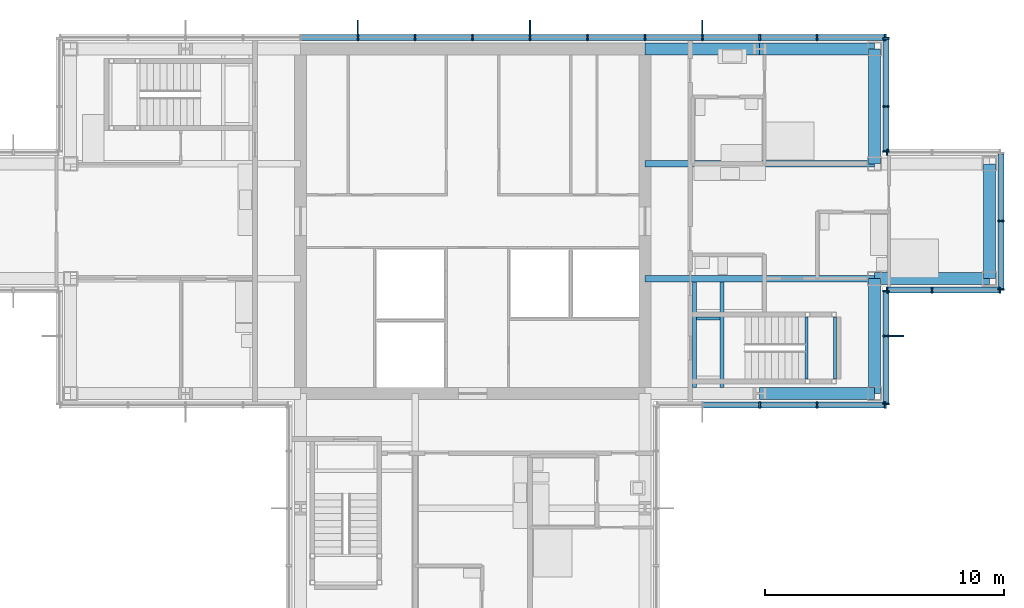
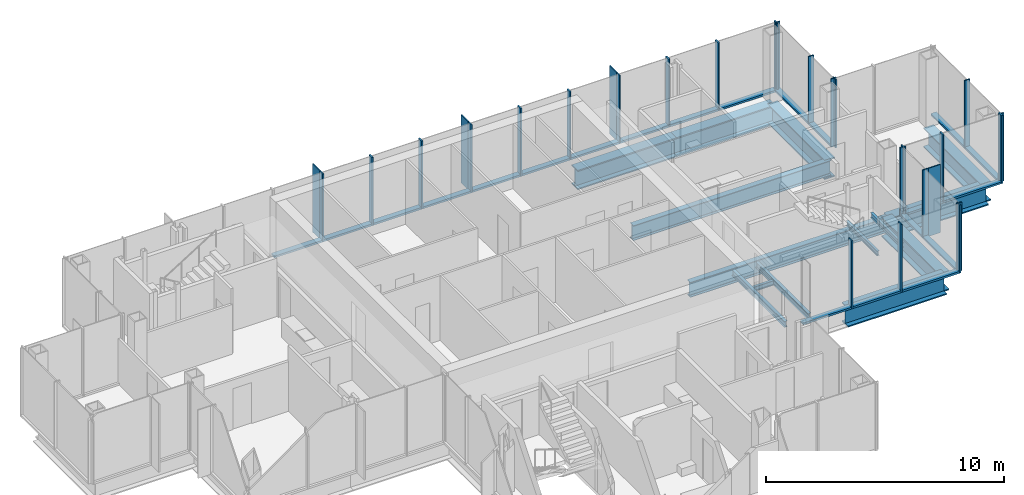
# One storey, part 7 of 15: 50 members, 14 beams, 7 elements without a shape of their own.
"""IFC4 building model written with IfcOpenShell, lengths in metres."""

from ifc_helpers import new_model, si_unit, direction, frame, origin, origin_2d, place, context, subcontext, project, spatial, rectangle, i_section, extrude, material, material_profile, profile_set, type_object, element, aggregate, save


model = new_model("IFC4")

# Units and contexts
model_context = context("Model", 3, precision=1e-05, world=origin(), true_north=direction((0.0, 1.0)))
body_context = subcontext(model_context, "Body", "Model", "MODEL_VIEW")
ifc_project = project(units=[si_unit("LENGTHUNIT", "METRE"), si_unit("AREAUNIT", "SQUARE_METRE"), si_unit("VOLUMEUNIT", "CUBIC_METRE"), si_unit("PLANEANGLEUNIT", "RADIAN"), si_unit("MASSUNIT", "GRAM", prefix="KILO")], contexts=[model_context])

# Site, building, storey
site_placement = place(None, origin())
site = spatial("IfcSite", under=ifc_project, at=site_placement, CompositionType="ELEMENT")
building_placement = place(site_placement, origin())
building = spatial("IfcBuilding", under=site, at=building_placement, Name="Kvirike Care Tower", CompositionType="ELEMENT")
storey_placement = place(building_placement, frame((0.0, 0.0, 215.5)))
storey = spatial("IfcBuildingStorey", under=building, at=storey_placement, Name="L59", CompositionType="ELEMENT", Elevation=215.5)

# Curtain wall, member
ifc_material_1 = material(Name="Anodised aluminium stick system", Category="aluminium")
curtain_wall_type = type_object("IfcCurtainWallType", Name="CW-D STICK CURTAIN WALL", PredefinedType="NOTDEFINED", material=ifc_material_1)
curtain_wall_1_placement = place(storey_placement, origin())
curtain_wall_1 = element("IfcCurtainWall", 1, at=curtain_wall_1_placement, inside=storey, type_object=curtain_wall_type, Name="Curtain wall L59 face 2", PredefinedType="NOTDEFINED")
ifc_material_2 = material(Name="Bronze anodised aluminium fin", Category="aluminium")
ifc_material_profile_1 = material_profile(ifc_material_2, rectangle(XDim=0.050048828125, YDim=0.60009765625, at=origin_2d()), Name="BRONZE FIN 600")
ifc_profile_set_1 = profile_set([ifc_material_profile_1], Name="Bronze anodised aluminium fin")
member_type_1 = type_object("IfcMemberType", Name="BRONZE FIN 600", PredefinedType="USERDEFINED", material=ifc_profile_set_1)
member_1_placement = place(storey_placement, frame((39.31005859375, 31.199951171875, 0.0), z_axis=(0.0, 0.0, 1.0), x_axis=(0.0, 1.0, 0.0)))
member_1 = element("IfcMember", 2, at=member_1_placement, type_object=member_type_1, Name="Bronze fin L59 face 2.2", ObjectType="FIN", PredefinedType="USERDEFINED", context=body_context, shape_type="SweptSolid", body=[
    extrude(rectangle(XDim=0.050048828125, YDim=0.60009765625, at=origin_2d()), origin(), (0.0, 0.0, 1.0), 3.5),
])

# Curtain wall, members
curtain_wall_2_placement = place(storey_placement, origin())
curtain_wall_2 = element("IfcCurtainWall", 3, at=curtain_wall_2_placement, inside=storey, type_object=curtain_wall_type, Name="Curtain wall L59 face 7", PredefinedType="NOTDEFINED")
member_2_placement = place(storey_placement, frame((31.199951171875, 44.110107421875, 0.0), z_axis=(0.0, 0.0, 1.0), x_axis=(-1.0, 0.0, 0.0)))
member_2 = element("IfcMember", 4, at=member_2_placement, type_object=member_type_1, Name="Bronze fin L59 face 7.4", ObjectType="FIN", PredefinedType="USERDEFINED", context=body_context, shape_type="SweptSolid", body=[
    extrude(rectangle(XDim=0.050048828125, YDim=0.60009765625, at=origin_2d()), origin(), (0.0, 0.0, 1.0), 3.5),
])
member_3_placement = place(storey_placement, frame((24.0, 44.110107421875, 0.0), z_axis=(0.0, 0.0, 1.0), x_axis=(-1.0, 0.0, 0.0)))
member_3 = element("IfcMember", 5, at=member_3_placement, type_object=member_type_1, Name="Bronze fin L59 face 7.7", ObjectType="FIN", PredefinedType="USERDEFINED", context=body_context, shape_type="SweptSolid", body=[
    extrude(rectangle(XDim=0.050048828125, YDim=0.60009765625, at=origin_2d()), origin(), (0.0, 0.0, 1.0), 3.5),
])
member_4_placement = place(storey_placement, frame((16.800048828125, 44.110107421875, 0.0), z_axis=(0.0, 0.0, 1.0), x_axis=(-1.0, 0.0, 0.0)))
member_4 = element("IfcMember", 6, at=member_4_placement, type_object=member_type_1, Name="Bronze fin L59 face 7.10", ObjectType="FIN", PredefinedType="USERDEFINED", context=body_context, shape_type="SweptSolid", body=[
    extrude(rectangle(XDim=0.050048828125, YDim=0.60009765625, at=origin_2d()), origin(), (0.0, 0.0, 1.0), 3.5),
])

curtain_wall_3_placement = place(storey_placement, origin())
curtain_wall_3 = element("IfcCurtainWall", 7, at=curtain_wall_3_placement, inside=storey, type_object=curtain_wall_type, Name="Curtain wall L59 face 1", PredefinedType="NOTDEFINED")
ifc_material_3 = material(Name="Bronze anodised aluminium mullion", Category="aluminium")
ifc_material_profile_2 = material_profile(ifc_material_3, rectangle(XDim=0.06494140625, YDim=0.260009765625, at=origin_2d()), Name="CW-D MULLION 65x260")
ifc_profile_set_2 = profile_set([ifc_material_profile_2], Name="Bronze anodised aluminium mullion")
member_type_2 = type_object("IfcMemberType", Name="CW-D MULLION 65x260", PredefinedType="MULLION", material=ifc_profile_set_2)
member_5_placement = place(storey_placement, frame((33.60009765625, 28.320068359375, 0.0), z_axis=(0.0, 0.0, 1.0), x_axis=(1.0, 0.0, 0.0)))
member_5 = element("IfcMember", 8, at=member_5_placement, type_object=member_type_2, Name="CW-D mullion L59 face 1.3", PredefinedType="MULLION", context=body_context, shape_type="SweptSolid", body=[
    extrude(rectangle(XDim=0.06494140625, YDim=0.260009765625, at=origin_2d()), origin(), (0.0, 0.0, 1.0), 3.5),
])
member_6_placement = place(storey_placement, frame((36.0, 28.320068359375, 0.0), z_axis=(0.0, 0.0, 1.0), x_axis=(1.0, 0.0, 0.0)))
member_6 = element("IfcMember", 9, at=member_6_placement, type_object=member_type_2, Name="CW-D mullion L59 face 1.4", PredefinedType="MULLION", context=body_context, shape_type="SweptSolid", body=[
    extrude(rectangle(XDim=0.06494140625, YDim=0.260009765625, at=origin_2d()), origin(), (0.0, 0.0, 1.0), 3.5),
])
member_7_placement = place(storey_placement, frame((38.847412109375, 28.320068359375, 0.0), z_axis=(0.0, 0.0, 1.0), x_axis=(1.0, 0.0, 0.0)))
member_7 = element("IfcMember", 10, at=member_7_placement, type_object=member_type_2, Name="CW-D mullion L59 face 1.5", PredefinedType="MULLION", context=body_context, shape_type="SweptSolid", body=[
    extrude(rectangle(XDim=0.06494140625, YDim=0.260009765625, at=origin_2d()), origin(), (0.0, 0.0, 1.0), 3.5),
])

# Member
member_8_placement = place(storey_placement, frame((38.8798828125, 28.3525390625, 0.0), z_axis=(0.0, 0.0, 1.0), x_axis=(0.0, 1.0, 0.0)))
member_8 = element("IfcMember", 11, at=member_8_placement, type_object=member_type_2, Name="CW-D mullion L59 face 2.1", PredefinedType="MULLION", context=body_context, shape_type="SweptSolid", body=[
    extrude(rectangle(XDim=0.06494140625, YDim=0.260009765625, at=origin_2d()), origin(), (0.0, 0.0, 1.0), 3.5),
])

member_9_placement = place(storey_placement, frame((38.8798828125, 31.199951171875, 0.0), z_axis=(0.0, 0.0, 1.0), x_axis=(0.0, 1.0, 0.0)))
member_9 = element("IfcMember", 12, at=member_9_placement, type_object=member_type_2, Name="CW-D mullion L59 face 2.2", PredefinedType="MULLION", context=body_context, shape_type="SweptSolid", body=[
    extrude(rectangle(XDim=0.06494140625, YDim=0.260009765625, at=origin_2d()), origin(), (0.0, 0.0, 1.0), 3.5),
])

member_10_placement = place(storey_placement, frame((38.8798828125, 33.08740234375, 0.0), z_axis=(0.0, 0.0, 1.0), x_axis=(0.0, 1.0, 0.0)))
member_10 = element("IfcMember", 13, at=member_10_placement, type_object=member_type_2, Name="CW-D mullion L59 face 2.3", PredefinedType="MULLION", context=body_context, shape_type="SweptSolid", body=[
    extrude(rectangle(XDim=0.06494140625, YDim=0.260009765625, at=origin_2d()), origin(), (0.0, 0.0, 1.0), 3.5),
])

# Curtain wall, members
curtain_wall_4_placement = place(storey_placement, origin())
curtain_wall_4 = element("IfcCurtainWall", 14, at=curtain_wall_4_placement, inside=storey, type_object=curtain_wall_type, Name="Curtain wall L59 face 3", PredefinedType="NOTDEFINED")
member_11_placement = place(storey_placement, frame((38.91259765625, 33.1201171875, 0.0), z_axis=(0.0, 0.0, 1.0), x_axis=(1.0, 0.0, 0.0)))
member_11 = element("IfcMember", 15, at=member_11_placement, type_object=member_type_2, Name="CW-D mullion L59 face 3.1", PredefinedType="MULLION", context=body_context, shape_type="SweptSolid", body=[
    extrude(rectangle(XDim=0.06494140625, YDim=0.260009765625, at=origin_2d()), origin(), (0.0, 0.0, 1.0), 3.5),
])
member_12_placement = place(storey_placement, frame((40.800048828125, 33.1201171875, 0.0), z_axis=(0.0, 0.0, 1.0), x_axis=(1.0, 0.0, 0.0)))
member_12 = element("IfcMember", 16, at=member_12_placement, type_object=member_type_2, Name="CW-D mullion L59 face 3.2", PredefinedType="MULLION", context=body_context, shape_type="SweptSolid", body=[
    extrude(rectangle(XDim=0.06494140625, YDim=0.260009765625, at=origin_2d()), origin(), (0.0, 0.0, 1.0), 3.5),
])
member_13_placement = place(storey_placement, frame((43.6474609375, 33.1201171875, 0.0), z_axis=(0.0, 0.0, 1.0), x_axis=(1.0, 0.0, 0.0)))
member_13 = element("IfcMember", 17, at=member_13_placement, type_object=member_type_2, Name="CW-D mullion L59 face 3.3", PredefinedType="MULLION", context=body_context, shape_type="SweptSolid", body=[
    extrude(rectangle(XDim=0.06494140625, YDim=0.260009765625, at=origin_2d()), origin(), (0.0, 0.0, 1.0), 3.5),
])

curtain_wall_5_placement = place(storey_placement, origin())
curtain_wall_5 = element("IfcCurtainWall", 18, at=curtain_wall_5_placement, inside=storey, type_object=curtain_wall_type, Name="Curtain wall L59 face 4", PredefinedType="NOTDEFINED")
member_14_placement = place(storey_placement, frame((43.679931640625, 33.152587890625, 0.0), z_axis=(0.0, 0.0, 1.0), x_axis=(0.0, 1.0, 0.0)))
member_14 = element("IfcMember", 19, at=member_14_placement, type_object=member_type_2, Name="CW-D mullion L59 face 4.1", PredefinedType="MULLION", context=body_context, shape_type="SweptSolid", body=[
    extrude(rectangle(XDim=0.06494140625, YDim=0.260009765625, at=origin_2d()), origin(), (0.0, 0.0, 1.0), 3.5),
])
member_15_placement = place(storey_placement, frame((43.679931640625, 36.0, 0.0), z_axis=(0.0, 0.0, 1.0), x_axis=(0.0, 1.0, 0.0)))
member_15 = element("IfcMember", 20, at=member_15_placement, type_object=member_type_2, Name="CW-D mullion L59 face 4.2", PredefinedType="MULLION", context=body_context, shape_type="SweptSolid", body=[
    extrude(rectangle(XDim=0.06494140625, YDim=0.260009765625, at=origin_2d()), origin(), (0.0, 0.0, 1.0), 3.5),
])

# Curtain wall, member
curtain_wall_6_placement = place(storey_placement, origin())
curtain_wall_6 = element("IfcCurtainWall", 21, at=curtain_wall_6_placement, inside=storey, type_object=curtain_wall_type, Name="Curtain wall L59 face 5", PredefinedType="NOTDEFINED")
member_16_placement = place(storey_placement, frame((38.91259765625, 38.8798828125, 0.0), z_axis=(0.0, 0.0, 1.0), x_axis=(-1.0, 0.0, 0.0)))
member_16 = element("IfcMember", 22, at=member_16_placement, type_object=member_type_2, Name="CW-D mullion L59 face 5.3", PredefinedType="MULLION", context=body_context, shape_type="SweptSolid", body=[
    extrude(rectangle(XDim=0.06494140625, YDim=0.260009765625, at=origin_2d()), origin(), (0.0, 0.0, 1.0), 3.5),
])
aggregate(curtain_wall_6, [member_16])

# Curtain wall, members
curtain_wall_7_placement = place(storey_placement, origin())
curtain_wall_7 = element("IfcCurtainWall", 23, at=curtain_wall_7_placement, inside=storey, type_object=curtain_wall_type, Name="Curtain wall L59 face 6", PredefinedType="NOTDEFINED")
member_17_placement = place(storey_placement, frame((38.8798828125, 38.91259765625, 0.0), z_axis=(0.0, 0.0, 1.0), x_axis=(0.0, 1.0, 0.0)))
member_17 = element("IfcMember", 24, at=member_17_placement, type_object=member_type_2, Name="CW-D mullion L59 face 6.1", PredefinedType="MULLION", context=body_context, shape_type="SweptSolid", body=[
    extrude(rectangle(XDim=0.06494140625, YDim=0.260009765625, at=origin_2d()), origin(), (0.0, 0.0, 1.0), 3.5),
])
member_18_placement = place(storey_placement, frame((38.8798828125, 40.800048828125, 0.0), z_axis=(0.0, 0.0, 1.0), x_axis=(0.0, 1.0, 0.0)))
member_18 = element("IfcMember", 25, at=member_18_placement, type_object=member_type_2, Name="CW-D mullion L59 face 6.2", PredefinedType="MULLION", context=body_context, shape_type="SweptSolid", body=[
    extrude(rectangle(XDim=0.06494140625, YDim=0.260009765625, at=origin_2d()), origin(), (0.0, 0.0, 1.0), 3.5),
])
member_19_placement = place(storey_placement, frame((38.8798828125, 43.6474609375, 0.0), z_axis=(0.0, 0.0, 1.0), x_axis=(0.0, 1.0, 0.0)))
member_19 = element("IfcMember", 26, at=member_19_placement, type_object=member_type_2, Name="CW-D mullion L59 face 6.3", PredefinedType="MULLION", context=body_context, shape_type="SweptSolid", body=[
    extrude(rectangle(XDim=0.06494140625, YDim=0.260009765625, at=origin_2d()), origin(), (0.0, 0.0, 1.0), 3.5),
])

# Member
member_20_placement = place(storey_placement, frame((38.847412109375, 43.679931640625, 0.0), z_axis=(0.0, 0.0, 1.0), x_axis=(-1.0, 0.0, 0.0)))
member_20 = element("IfcMember", 27, at=member_20_placement, type_object=member_type_2, Name="CW-D mullion L59 face 7.1", PredefinedType="MULLION", context=body_context, shape_type="SweptSolid", body=[
    extrude(rectangle(XDim=0.06494140625, YDim=0.260009765625, at=origin_2d()), origin(), (0.0, 0.0, 1.0), 3.5),
])

member_21_placement = place(storey_placement, frame((36.0, 43.679931640625, 0.0), z_axis=(0.0, 0.0, 1.0), x_axis=(-1.0, 0.0, 0.0)))
member_21 = element("IfcMember", 28, at=member_21_placement, type_object=member_type_2, Name="CW-D mullion L59 face 7.2", PredefinedType="MULLION", context=body_context, shape_type="SweptSolid", body=[
    extrude(rectangle(XDim=0.06494140625, YDim=0.260009765625, at=origin_2d()), origin(), (0.0, 0.0, 1.0), 3.5),
])

member_22_placement = place(storey_placement, frame((33.60009765625, 43.679931640625, 0.0), z_axis=(0.0, 0.0, 1.0), x_axis=(-1.0, 0.0, 0.0)))
member_22 = element("IfcMember", 29, at=member_22_placement, type_object=member_type_2, Name="CW-D mullion L59 face 7.3", PredefinedType="MULLION", context=body_context, shape_type="SweptSolid", body=[
    extrude(rectangle(XDim=0.06494140625, YDim=0.260009765625, at=origin_2d()), origin(), (0.0, 0.0, 1.0), 3.5),
])

member_23_placement = place(storey_placement, frame((31.199951171875, 43.679931640625, 0.0), z_axis=(0.0, 0.0, 1.0), x_axis=(-1.0, 0.0, 0.0)))
member_23 = element("IfcMember", 30, at=member_23_placement, type_object=member_type_2, Name="CW-D mullion L59 face 7.4", PredefinedType="MULLION", context=body_context, shape_type="SweptSolid", body=[
    extrude(rectangle(XDim=0.06494140625, YDim=0.260009765625, at=origin_2d()), origin(), (0.0, 0.0, 1.0), 3.5),
])

member_24_placement = place(storey_placement, frame((28.800048828125, 43.679931640625, 0.0), z_axis=(0.0, 0.0, 1.0), x_axis=(-1.0, 0.0, 0.0)))
member_24 = element("IfcMember", 31, at=member_24_placement, type_object=member_type_2, Name="CW-D mullion L59 face 7.5", PredefinedType="MULLION", context=body_context, shape_type="SweptSolid", body=[
    extrude(rectangle(XDim=0.06494140625, YDim=0.260009765625, at=origin_2d()), origin(), (0.0, 0.0, 1.0), 3.5),
])

member_25_placement = place(storey_placement, frame((26.39990234375, 43.679931640625, 0.0), z_axis=(0.0, 0.0, 1.0), x_axis=(-1.0, 0.0, 0.0)))
member_25 = element("IfcMember", 32, at=member_25_placement, type_object=member_type_2, Name="CW-D mullion L59 face 7.6", PredefinedType="MULLION", context=body_context, shape_type="SweptSolid", body=[
    extrude(rectangle(XDim=0.06494140625, YDim=0.260009765625, at=origin_2d()), origin(), (0.0, 0.0, 1.0), 3.5),
])

member_26_placement = place(storey_placement, frame((24.0, 43.679931640625, 0.0), z_axis=(0.0, 0.0, 1.0), x_axis=(-1.0, 0.0, 0.0)))
member_26 = element("IfcMember", 33, at=member_26_placement, type_object=member_type_2, Name="CW-D mullion L59 face 7.7", PredefinedType="MULLION", context=body_context, shape_type="SweptSolid", body=[
    extrude(rectangle(XDim=0.06494140625, YDim=0.260009765625, at=origin_2d()), origin(), (0.0, 0.0, 1.0), 3.5),
])

member_27_placement = place(storey_placement, frame((21.60009765625, 43.679931640625, 0.0), z_axis=(0.0, 0.0, 1.0), x_axis=(-1.0, 0.0, 0.0)))
member_27 = element("IfcMember", 34, at=member_27_placement, type_object=member_type_2, Name="CW-D mullion L59 face 7.8", PredefinedType="MULLION", context=body_context, shape_type="SweptSolid", body=[
    extrude(rectangle(XDim=0.06494140625, YDim=0.260009765625, at=origin_2d()), origin(), (0.0, 0.0, 1.0), 3.5),
])

member_28_placement = place(storey_placement, frame((19.199951171875, 43.679931640625, 0.0), z_axis=(0.0, 0.0, 1.0), x_axis=(-1.0, 0.0, 0.0)))
member_28 = element("IfcMember", 35, at=member_28_placement, type_object=member_type_2, Name="CW-D mullion L59 face 7.9", PredefinedType="MULLION", context=body_context, shape_type="SweptSolid", body=[
    extrude(rectangle(XDim=0.06494140625, YDim=0.260009765625, at=origin_2d()), origin(), (0.0, 0.0, 1.0), 3.5),
])

member_29_placement = place(storey_placement, frame((16.800048828125, 43.679931640625, 0.0), z_axis=(0.0, 0.0, 1.0), x_axis=(-1.0, 0.0, 0.0)))
member_29 = element("IfcMember", 36, at=member_29_placement, type_object=member_type_2, Name="CW-D mullion L59 face 7.10", PredefinedType="MULLION", context=body_context, shape_type="SweptSolid", body=[
    extrude(rectangle(XDim=0.06494140625, YDim=0.260009765625, at=origin_2d()), origin(), (0.0, 0.0, 1.0), 3.5),
])

ifc_material_4 = material(Name="Bronze anodised aluminium transom", Category="aluminium")
ifc_material_profile_3 = material_profile(ifc_material_4, rectangle(XDim=0.260009765625, YDim=0.10009765625, at=origin_2d()), Name="CW-D TRANSOM 260x100")
ifc_profile_set_3 = profile_set([ifc_material_profile_3], Name="Bronze anodised aluminium transom")
member_type_3 = type_object("IfcMemberType", Name="CW-D TRANSOM 260x100", PredefinedType="USERDEFINED", material=ifc_profile_set_3)
member_30_placement = place(storey_placement, frame((31.232421875, 28.320068359375, 0.050048828125), z_axis=(1.0, 0.0, 0.0), x_axis=(0.0, 1.0, 0.0)))
member_30 = element("IfcMember", 37, at=member_30_placement, type_object=member_type_3, Name="CW-D sill transom L59 face 1.2", ObjectType="TRANSOM", PredefinedType="USERDEFINED", context=body_context, shape_type="SweptSolid", body=[
    extrude(rectangle(XDim=0.260009765625, YDim=0.10009765625, at=origin_2d()), origin(), (0.0, 0.0, 1.0), 2.3349609375),
])

member_31_placement = place(storey_placement, frame((33.632568359375, 28.320068359375, 0.050048828125), z_axis=(1.0, 0.0, 0.0), x_axis=(0.0, 1.0, 0.0)))
member_31 = element("IfcMember", 38, at=member_31_placement, type_object=member_type_3, Name="CW-D sill transom L59 face 1.3", ObjectType="TRANSOM", PredefinedType="USERDEFINED", context=body_context, shape_type="SweptSolid", body=[
    extrude(rectangle(XDim=0.260009765625, YDim=0.10009765625, at=origin_2d()), origin(), (0.0, 0.0, 1.0), 2.3349609375),
])

member_32_placement = place(storey_placement, frame((36.032470703125, 28.320068359375, 0.050048828125), z_axis=(1.0, 0.0, 0.0), x_axis=(0.0, 1.0, 0.0)))
member_32 = element("IfcMember", 39, at=member_32_placement, type_object=member_type_3, Name="CW-D sill transom L59 face 1.4", ObjectType="TRANSOM", PredefinedType="USERDEFINED", context=body_context, shape_type="SweptSolid", body=[
    extrude(rectangle(XDim=0.260009765625, YDim=0.10009765625, at=origin_2d()), origin(), (0.0, 0.0, 1.0), 2.782470703125),
])

aggregate(curtain_wall_3, [member_5, member_6, member_7, member_30, member_31, member_32])

member_33_placement = place(storey_placement, frame((38.8798828125, 28.385009765625, 0.050048828125), z_axis=(0.0, 1.0, 0.0), x_axis=(-1.0, 0.0, 0.0)))
member_33 = element("IfcMember", 40, at=member_33_placement, type_object=member_type_3, Name="CW-D sill transom L59 face 2.1", ObjectType="TRANSOM", PredefinedType="USERDEFINED", context=body_context, shape_type="SweptSolid", body=[
    extrude(rectangle(XDim=0.260009765625, YDim=0.10009765625, at=origin_2d()), origin(), (0.0, 0.0, 1.0), 2.782470703125),
])

member_34_placement = place(storey_placement, frame((38.8798828125, 31.232421875, 0.050048828125), z_axis=(0.0, 1.0, 0.0), x_axis=(-1.0, 0.0, 0.0)))
member_34 = element("IfcMember", 41, at=member_34_placement, type_object=member_type_3, Name="CW-D sill transom L59 face 2.2", ObjectType="TRANSOM", PredefinedType="USERDEFINED", context=body_context, shape_type="SweptSolid", body=[
    extrude(rectangle(XDim=0.260009765625, YDim=0.10009765625, at=origin_2d()), origin(), (0.0, 0.0, 1.0), 1.822509765625),
])

aggregate(curtain_wall_1, [member_8, member_9, member_1, member_10, member_33, member_34])

member_35_placement = place(storey_placement, frame((38.945068359375, 33.1201171875, 0.050048828125), z_axis=(1.0, 0.0, 0.0), x_axis=(0.0, 1.0, 0.0)))
member_35 = element("IfcMember", 42, at=member_35_placement, type_object=member_type_3, Name="CW-D sill transom L59 face 3.1", ObjectType="TRANSOM", PredefinedType="USERDEFINED", context=body_context, shape_type="SweptSolid", body=[
    extrude(rectangle(XDim=0.260009765625, YDim=0.10009765625, at=origin_2d()), origin(), (0.0, 0.0, 1.0), 1.822509765625),
])

member_36_placement = place(storey_placement, frame((40.83251953125, 33.1201171875, 0.050048828125), z_axis=(1.0, 0.0, 0.0), x_axis=(0.0, 1.0, 0.0)))
member_36 = element("IfcMember", 43, at=member_36_placement, type_object=member_type_3, Name="CW-D sill transom L59 face 3.2", ObjectType="TRANSOM", PredefinedType="USERDEFINED", context=body_context, shape_type="SweptSolid", body=[
    extrude(rectangle(XDim=0.260009765625, YDim=0.10009765625, at=origin_2d()), origin(), (0.0, 0.0, 1.0), 2.782470703125),
])

aggregate(curtain_wall_4, [member_11, member_12, member_13, member_35, member_36])

member_37_placement = place(storey_placement, frame((43.679931640625, 33.18505859375, 0.050048828125), z_axis=(0.0, 1.0, 0.0), x_axis=(-1.0, 0.0, 0.0)))
member_37 = element("IfcMember", 44, at=member_37_placement, type_object=member_type_3, Name="CW-D sill transom L59 face 4.1", ObjectType="TRANSOM", PredefinedType="USERDEFINED", context=body_context, shape_type="SweptSolid", body=[
    extrude(rectangle(XDim=0.260009765625, YDim=0.10009765625, at=origin_2d()), origin(), (0.0, 0.0, 1.0), 2.782470703125),
])

member_38_placement = place(storey_placement, frame((43.679931640625, 36.032470703125, 0.050048828125), z_axis=(0.0, 1.0, 0.0), x_axis=(-1.0, 0.0, 0.0)))
member_38 = element("IfcMember", 45, at=member_38_placement, type_object=member_type_3, Name="CW-D sill transom L59 face 4.2", ObjectType="TRANSOM", PredefinedType="USERDEFINED", context=body_context, shape_type="SweptSolid", body=[
    extrude(rectangle(XDim=0.260009765625, YDim=0.10009765625, at=origin_2d()), origin(), (0.0, 0.0, 1.0), 2.782470703125),
])

aggregate(curtain_wall_5, [member_14, member_15, member_37, member_38])

member_39_placement = place(storey_placement, frame((38.8798828125, 38.945068359375, 0.050048828125), z_axis=(0.0, 1.0, 0.0), x_axis=(-1.0, 0.0, 0.0)))
member_39 = element("IfcMember", 46, at=member_39_placement, type_object=member_type_3, Name="CW-D sill transom L59 face 6.1", ObjectType="TRANSOM", PredefinedType="USERDEFINED", context=body_context, shape_type="SweptSolid", body=[
    extrude(rectangle(XDim=0.260009765625, YDim=0.10009765625, at=origin_2d()), origin(), (0.0, 0.0, 1.0), 1.822509765625),
])

member_40_placement = place(storey_placement, frame((38.8798828125, 40.83251953125, 0.050048828125), z_axis=(0.0, 1.0, 0.0), x_axis=(-1.0, 0.0, 0.0)))
member_40 = element("IfcMember", 47, at=member_40_placement, type_object=member_type_3, Name="CW-D sill transom L59 face 6.2", ObjectType="TRANSOM", PredefinedType="USERDEFINED", context=body_context, shape_type="SweptSolid", body=[
    extrude(rectangle(XDim=0.260009765625, YDim=0.10009765625, at=origin_2d()), origin(), (0.0, 0.0, 1.0), 2.782470703125),
])

aggregate(curtain_wall_7, [member_17, member_18, member_19, member_39, member_40])

member_41_placement = place(storey_placement, frame((38.81494140625, 43.679931640625, 0.050048828125), z_axis=(-1.0, 0.0, 0.0), x_axis=(0.0, -1.0, 0.0)))
member_41 = element("IfcMember", 48, at=member_41_placement, type_object=member_type_3, Name="CW-D sill transom L59 face 7.1", ObjectType="TRANSOM", PredefinedType="USERDEFINED", context=body_context, shape_type="SweptSolid", body=[
    extrude(rectangle(XDim=0.260009765625, YDim=0.10009765625, at=origin_2d()), origin(), (0.0, 0.0, 1.0), 2.782470703125),
])

member_42_placement = place(storey_placement, frame((35.967529296875, 43.679931640625, 0.050048828125), z_axis=(-1.0, 0.0, 0.0), x_axis=(0.0, -1.0, 0.0)))
member_42 = element("IfcMember", 49, at=member_42_placement, type_object=member_type_3, Name="CW-D sill transom L59 face 7.2", ObjectType="TRANSOM", PredefinedType="USERDEFINED", context=body_context, shape_type="SweptSolid", body=[
    extrude(rectangle(XDim=0.260009765625, YDim=0.10009765625, at=origin_2d()), origin(), (0.0, 0.0, 1.0), 2.3349609375),
])

member_43_placement = place(storey_placement, frame((33.5673828125, 43.679931640625, 0.050048828125), z_axis=(-1.0, 0.0, 0.0), x_axis=(0.0, -1.0, 0.0)))
member_43 = element("IfcMember", 50, at=member_43_placement, type_object=member_type_3, Name="CW-D sill transom L59 face 7.3", ObjectType="TRANSOM", PredefinedType="USERDEFINED", context=body_context, shape_type="SweptSolid", body=[
    extrude(rectangle(XDim=0.260009765625, YDim=0.10009765625, at=origin_2d()), origin(), (0.0, 0.0, 1.0), 2.3349609375),
])

member_44_placement = place(storey_placement, frame((31.16748046875, 43.679931640625, 0.050048828125), z_axis=(-1.0, 0.0, 0.0), x_axis=(0.0, -1.0, 0.0)))
member_44 = element("IfcMember", 51, at=member_44_placement, type_object=member_type_3, Name="CW-D sill transom L59 face 7.4", ObjectType="TRANSOM", PredefinedType="USERDEFINED", context=body_context, shape_type="SweptSolid", body=[
    extrude(rectangle(XDim=0.260009765625, YDim=0.10009765625, at=origin_2d()), origin(), (0.0, 0.0, 1.0), 2.3349609375),
])

member_45_placement = place(storey_placement, frame((28.767578125, 43.679931640625, 0.050048828125), z_axis=(-1.0, 0.0, 0.0), x_axis=(0.0, -1.0, 0.0)))
member_45 = element("IfcMember", 52, at=member_45_placement, type_object=member_type_3, Name="CW-D sill transom L59 face 7.5", ObjectType="TRANSOM", PredefinedType="USERDEFINED", context=body_context, shape_type="SweptSolid", body=[
    extrude(rectangle(XDim=0.260009765625, YDim=0.10009765625, at=origin_2d()), origin(), (0.0, 0.0, 1.0), 2.3349609375),
])

member_46_placement = place(storey_placement, frame((26.367431640625, 43.679931640625, 0.050048828125), z_axis=(-1.0, 0.0, 0.0), x_axis=(0.0, -1.0, 0.0)))
member_46 = element("IfcMember", 53, at=member_46_placement, type_object=member_type_3, Name="CW-D sill transom L59 face 7.6", ObjectType="TRANSOM", PredefinedType="USERDEFINED", context=body_context, shape_type="SweptSolid", body=[
    extrude(rectangle(XDim=0.260009765625, YDim=0.10009765625, at=origin_2d()), origin(), (0.0, 0.0, 1.0), 2.3349609375),
])

member_47_placement = place(storey_placement, frame((23.967529296875, 43.679931640625, 0.050048828125), z_axis=(-1.0, 0.0, 0.0), x_axis=(0.0, -1.0, 0.0)))
member_47 = element("IfcMember", 54, at=member_47_placement, type_object=member_type_3, Name="CW-D sill transom L59 face 7.7", ObjectType="TRANSOM", PredefinedType="USERDEFINED", context=body_context, shape_type="SweptSolid", body=[
    extrude(rectangle(XDim=0.260009765625, YDim=0.10009765625, at=origin_2d()), origin(), (0.0, 0.0, 1.0), 2.3349609375),
])

member_48_placement = place(storey_placement, frame((21.5673828125, 43.679931640625, 0.050048828125), z_axis=(-1.0, 0.0, 0.0), x_axis=(0.0, -1.0, 0.0)))
member_48 = element("IfcMember", 55, at=member_48_placement, type_object=member_type_3, Name="CW-D sill transom L59 face 7.8", ObjectType="TRANSOM", PredefinedType="USERDEFINED", context=body_context, shape_type="SweptSolid", body=[
    extrude(rectangle(XDim=0.260009765625, YDim=0.10009765625, at=origin_2d()), origin(), (0.0, 0.0, 1.0), 2.3349609375),
])

member_49_placement = place(storey_placement, frame((19.16748046875, 43.679931640625, 0.050048828125), z_axis=(-1.0, 0.0, 0.0), x_axis=(0.0, -1.0, 0.0)))
member_49 = element("IfcMember", 56, at=member_49_placement, type_object=member_type_3, Name="CW-D sill transom L59 face 7.9", ObjectType="TRANSOM", PredefinedType="USERDEFINED", context=body_context, shape_type="SweptSolid", body=[
    extrude(rectangle(XDim=0.260009765625, YDim=0.10009765625, at=origin_2d()), origin(), (0.0, 0.0, 1.0), 2.3349609375),
])

member_50_placement = place(storey_placement, frame((16.767578125, 43.679931640625, 0.050048828125), z_axis=(-1.0, 0.0, 0.0), x_axis=(0.0, -1.0, 0.0)))
member_50 = element("IfcMember", 57, at=member_50_placement, type_object=member_type_3, Name="CW-D sill transom L59 face 7.10", ObjectType="TRANSOM", PredefinedType="USERDEFINED", context=body_context, shape_type="SweptSolid", body=[
    extrude(rectangle(XDim=0.260009765625, YDim=0.10009765625, at=origin_2d()), origin(), (0.0, 0.0, 1.0), 2.3349609375),
])

aggregate(curtain_wall_2, [member_20, member_21, member_22, member_23, member_2, member_24, member_25, member_26, member_3, member_27, member_28, member_29, member_4, member_41, member_42, member_43, member_44, member_45, member_46, member_47, member_48, member_49, member_50])

# Beams
ifc_material_5 = material(Name="Steel S355", Category="steel")
ifc_material_profile_4 = material_profile(ifc_material_5, i_section(OverallWidth=0.26806640625, OverallDepth=0.77001953125, WebThickness=0.015625, FlangeThickness=0.025390625, FilletRadius=0.01708984375, at=origin_2d()), Name="IPE 750x196")
ifc_profile_set_4 = profile_set([ifc_material_profile_4], Name="Steel S355")
beam_type_1 = type_object("IfcBeamType", Name="FLOOR BEAM IPE 750x196", PredefinedType="BEAM", material=ifc_profile_set_4)
for number, where, z_axis, x_axis, name in (
    (58, (28.800048828125, 33.60009765625, -0.554931640625), (1.0, 0.0, 0.0), (0.0, 1.0, 0.0), "Floor Beam H9-H11 L59"),
    (59, (28.800048828125, 38.39990234375, -0.554931640625), (1.0, 0.0, 0.0), (0.0, 1.0, 0.0), "Floor Beam J9-J11 L59"),
):
    element("IfcBeam", number, at=place(storey_placement, frame(where, z_axis=z_axis, x_axis=x_axis)), inside=storey, type_object=beam_type_1, Name=name, PredefinedType="BEAM", context=body_context, shape_type="SweptSolid", body=[
        extrude(i_section(OverallWidth=0.26806640625, OverallDepth=0.77001953125, WebThickness=0.015625, FlangeThickness=0.025390625, FilletRadius=0.01708984375, at=origin_2d()), origin(), (0.0, 0.0, 1.0), 9.599853515625),
    ])
ifc_material_6 = material(Name="Steel S355", Category="steel")
ifc_material_profile_5 = material_profile(ifc_material_6, i_section(OverallWidth=0.5, OverallDepth=1.0, WebThickness=0.030029296875, FlangeThickness=0.06005859375, at=origin_2d()), Name="PG 1000x500x30x60")
ifc_profile_set_5 = profile_set([ifc_material_profile_5], Name="Steel S355")
beam_type_2 = type_object("IfcBeamType", Name="SPANDREL PG 1000x500x30x60", PredefinedType="SPANDREL", material=ifc_profile_set_5)
beam_1_placement = place(storey_placement, frame((33.60009765625, 28.800048828125, -0.669921875), z_axis=(1.0, 0.0, 0.0), x_axis=(0.0, 1.0, 0.0)))
element("IfcBeam", 60, at=beam_1_placement, inside=storey, type_object=beam_type_2, Name="Spandrel G10-G11 L59", PredefinedType="SPANDREL", context=body_context, shape_type="SweptSolid", body=[
    extrude(i_section(OverallWidth=0.5, OverallDepth=1.0, WebThickness=0.030029296875, FlangeThickness=0.06005859375, at=origin_2d()), origin(), (0.0, 0.0, 1.0), 4.7998046875),
])
for number, where, z_axis, x_axis, name in (
    (61, (38.39990234375, 33.60009765625, -0.669921875), (1.0, 0.0, 0.0), (0.0, 1.0, 0.0), "Spandrel H11-H12 L59"),
    (62, (28.800048828125, 43.199951171875, -0.669921875), (1.0, 0.0, 0.0), (0.0, 1.0, 0.0), "Spandrel K9-K10 L59"),
):
    element("IfcBeam", number, at=place(storey_placement, frame(where, z_axis=z_axis, x_axis=x_axis)), inside=storey, type_object=beam_type_2, Name=name, PredefinedType="SPANDREL", context=body_context, shape_type="SweptSolid", body=[
        extrude(i_section(OverallWidth=0.5, OverallDepth=1.0, WebThickness=0.030029296875, FlangeThickness=0.06005859375, at=origin_2d()), origin(), (0.0, 0.0, 1.0), 4.800048828125),
    ])
beam_2_placement = place(storey_placement, frame((33.60009765625, 43.199951171875, -0.669921875), z_axis=(1.0, 0.0, 0.0), x_axis=(0.0, 1.0, 0.0)))
element("IfcBeam", 63, at=beam_2_placement, inside=storey, type_object=beam_type_2, Name="Spandrel K10-K11 L59", PredefinedType="SPANDREL", context=body_context, shape_type="SweptSolid", body=[
    extrude(i_section(OverallWidth=0.5, OverallDepth=1.0, WebThickness=0.030029296875, FlangeThickness=0.06005859375, at=origin_2d()), origin(), (0.0, 0.0, 1.0), 4.7998046875),
])
for number, where, z_axis, x_axis, name in (
    (64, (38.39990234375, 28.800048828125, -0.669921875), (0.0, 1.0, 0.0), (-1.0, 0.0, 0.0), "Spandrel G11-H11 L59"),
    (65, (38.39990234375, 38.39990234375, -0.669921875), (0.0, 1.0, 0.0), (-1.0, 0.0, 0.0), "Spandrel J11-K11 L59"),
):
    element("IfcBeam", number, at=place(storey_placement, frame(where, z_axis=z_axis, x_axis=x_axis)), inside=storey, type_object=beam_type_2, Name=name, PredefinedType="SPANDREL", context=body_context, shape_type="SweptSolid", body=[
        extrude(i_section(OverallWidth=0.5, OverallDepth=1.0, WebThickness=0.030029296875, FlangeThickness=0.06005859375, at=origin_2d()), origin(), (0.0, 0.0, 1.0), 4.800048828125),
    ])
beam_3_placement = place(storey_placement, frame((43.199951171875, 33.60009765625, -0.669921875), z_axis=(0.0, 1.0, 0.0), x_axis=(-1.0, 0.0, 0.0)))
element("IfcBeam", 66, at=beam_3_placement, inside=storey, type_object=beam_type_2, Name="Spandrel H12-J12 L59", PredefinedType="SPANDREL", context=body_context, shape_type="SweptSolid", body=[
    extrude(i_section(OverallWidth=0.5, OverallDepth=1.0, WebThickness=0.030029296875, FlangeThickness=0.06005859375, at=origin_2d()), origin(), (0.0, 0.0, 1.0), 4.7998046875),
])
ifc_material_7 = material(Name="Steel S355", Category="steel")
ifc_material_profile_6 = material_profile(ifc_material_7, i_section(OverallWidth=0.1201171875, OverallDepth=0.239990234375, WebThickness=0.006103515625, FlangeThickness=0.009765625, FilletRadius=0.014892578125, at=origin_2d()), Name="IPE 240")
ifc_profile_set_6 = profile_set([ifc_material_profile_6], Name="Steel S355")
beam_type_3 = type_object("IfcBeamType", Name="STAIR LANDING BEAM IPE 240", PredefinedType="BEAM", material=ifc_profile_set_6)
for number, where, z_axis, x_axis, name in (
    (67, (36.739990234375, 29.39990234375, 1.429931640625), (0.0, 1.0, 0.0), (-1.0, 0.0, 0.0), "Stair 2 landing beam back L59"),
    (68, (35.56005859375, 29.39990234375, 1.429931640625), (0.0, 1.0, 0.0), (-1.0, 0.0, 0.0), "Stair 2 landing beam front L59"),
):
    element("IfcBeam", number, at=place(storey_placement, frame(where, z_axis=z_axis, x_axis=x_axis)), inside=storey, type_object=beam_type_3, Name=name, PredefinedType="BEAM", context=body_context, shape_type="SweptSolid", body=[
        extrude(i_section(OverallWidth=0.1201171875, OverallDepth=0.239990234375, WebThickness=0.006103515625, FlangeThickness=0.009765625, FilletRadius=0.014892578125, at=origin_2d()), origin(), (0.0, 0.0, 1.0), 2.60009765625),
    ])
beam_4_placement = place(storey_placement, frame((31.949951171875, 31.93994140625, -0.320068359375), z_axis=(-1.0, 0.0, 0.0), x_axis=(0.0, -1.0, 0.0)))
element("IfcBeam", 69, at=beam_4_placement, inside=storey, type_object=beam_type_3, Name="Stair 2 landing edge beam 2 L59", PredefinedType="BEAM", context=body_context, shape_type="SweptSolid", body=[
    extrude(i_section(OverallWidth=0.1201171875, OverallDepth=0.239990234375, WebThickness=0.006103515625, FlangeThickness=0.009765625, FilletRadius=0.014892578125, at=origin_2d()), origin(), (0.0, 0.0, 1.0), 1.0),
])
ifc_material_8 = material(Name="Steel S355", Category="steel")
ifc_material_profile_7 = material_profile(ifc_material_8, i_section(OverallWidth=0.14990234375, OverallDepth=0.300048828125, WebThickness=0.007080078125, FlangeThickness=0.0107421875, FilletRadius=0.014892578125, at=origin_2d()), Name="IPE 300")
ifc_profile_set_7 = profile_set([ifc_material_profile_7], Name="Steel S355")
beam_type_4 = type_object("IfcBeamType", Name="STAIR TRIMMER IPE 300", PredefinedType="BEAM", material=ifc_profile_set_7)
for number, where, z_axis, x_axis, name in (
    (70, (32.02490234375, 29.050048828125, -0.35009765625), (0.0, 1.0, 0.0), (-1.0, 0.0, 0.0), "Stair 2 trimmer 1 L59"),
    (71, (30.875, 29.050048828125, -0.35009765625), (0.0, 1.0, 0.0), (-1.0, 0.0, 0.0), "Stair 2 trimmer 2 L59"),
):
    element("IfcBeam", number, at=place(storey_placement, frame(where, z_axis=z_axis, x_axis=x_axis)), inside=storey, type_object=beam_type_4, Name=name, PredefinedType="BEAM", context=body_context, shape_type="SweptSolid", body=[
        extrude(i_section(OverallWidth=0.14990234375, OverallDepth=0.300048828125, WebThickness=0.007080078125, FlangeThickness=0.0107421875, FilletRadius=0.014892578125, at=origin_2d()), origin(), (0.0, 0.0, 1.0), 4.416015625),
    ])

save(model, "model.ifc")
